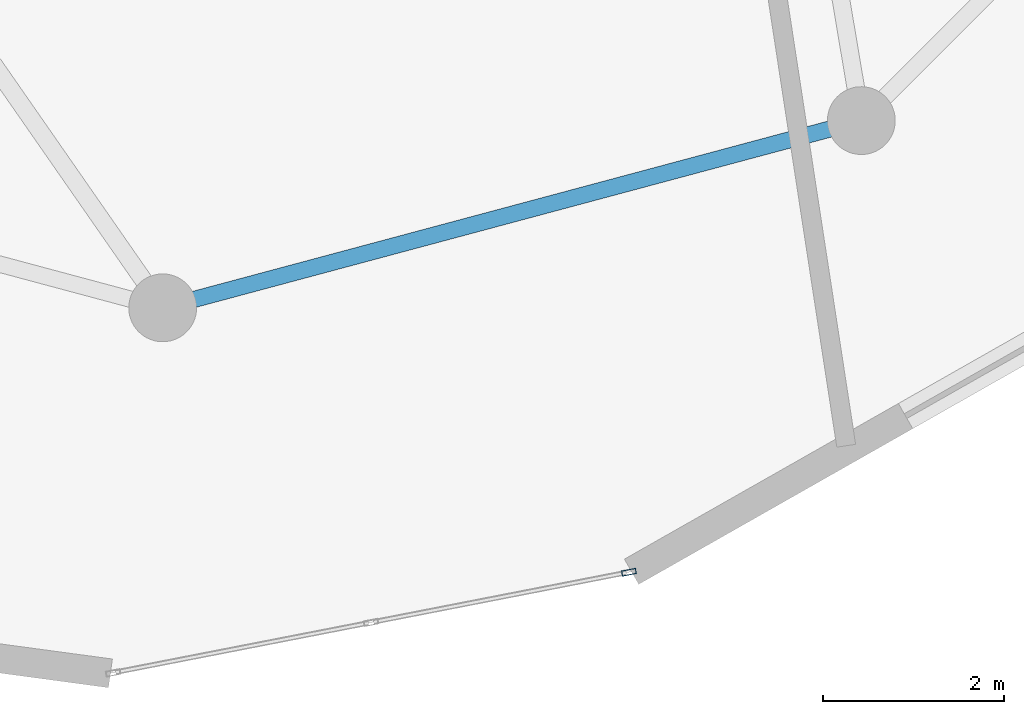
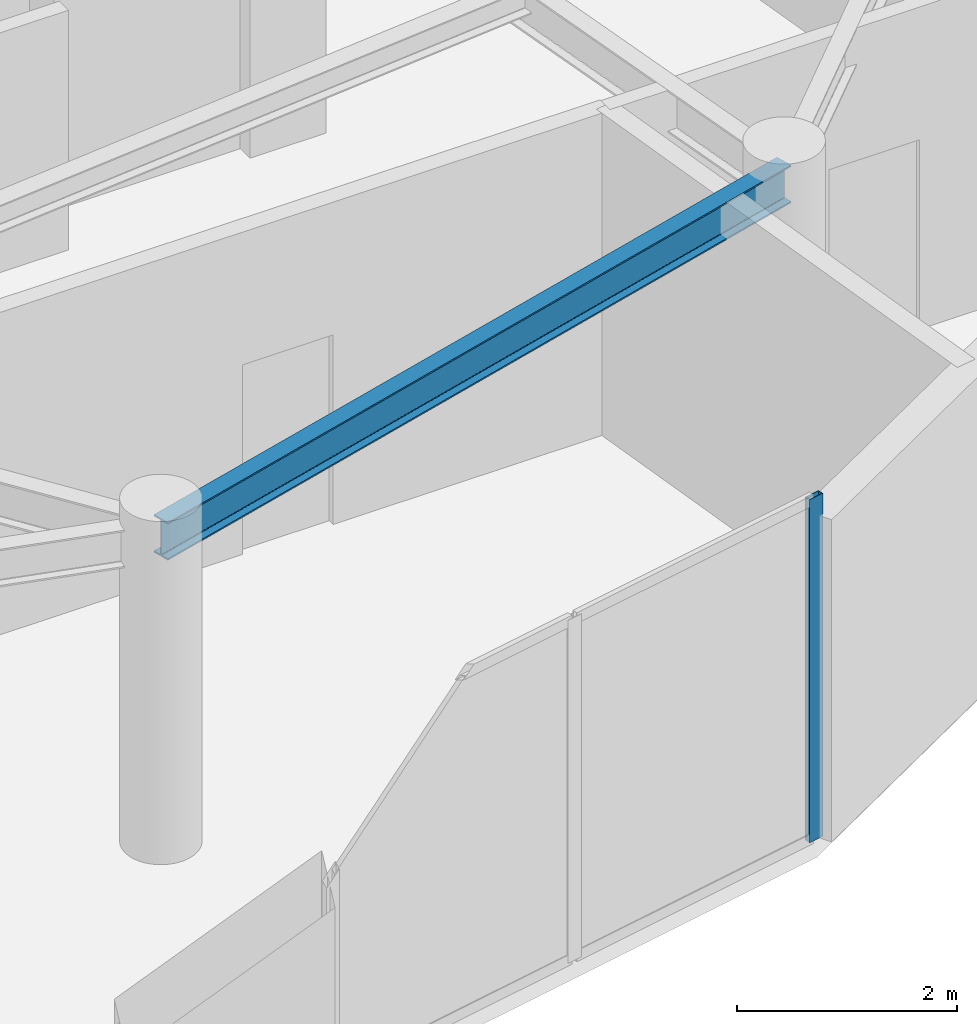
# One storey, part 5 of 18: 1 beam, 1 member, 1 element without a shape of its own.
"""IFC4 building model written with IfcOpenShell, lengths in metres."""

from ifc_helpers import new_model, si_unit, direction, frame, origin, origin_2d, place, context, subcontext, project, spatial, hollow_rectangle, i_section, extrude, source, transform, mapped, material, layer, layer_set, material_profile, profile_set, type_object, element, aggregate, save


model = new_model("IFC4")

# Units and contexts
model_context = context("Model", 3, precision=1e-05, world=origin(), true_north=direction((0.0, 1.0)))
body_context = subcontext(model_context, "Body", "Model", "MODEL_VIEW")
ifc_project = project(units=[si_unit("LENGTHUNIT", "METRE"), si_unit("AREAUNIT", "SQUARE_METRE"), si_unit("VOLUMEUNIT", "CUBIC_METRE"), si_unit("PLANEANGLEUNIT", "RADIAN"), si_unit("MASSUNIT", "GRAM", prefix="KILO")], contexts=[model_context])

# Site, building, storey
site_placement = place(None, origin())
site = spatial("IfcSite", under=ifc_project, at=site_placement, CompositionType="ELEMENT")
building_placement = place(site_placement, origin())
building = spatial("IfcBuilding", under=site, at=building_placement, Name="Solvirekh Grand Hotel", CompositionType="ELEMENT")
storey_placement = place(building_placement, frame((0.0, 0.0, 274.39990234375)))
storey = spatial("IfcBuildingStorey", under=building, at=storey_placement, Name="L71", CompositionType="ELEMENT", Elevation=274.39990234375)

# Beam
ifc_material_1 = material(Name="Steel S355", Category="steel")
ifc_material_profile_1 = material_profile(ifc_material_1, i_section(OverallWidth=0.180908203125, OverallDepth=0.4169921875, WebThickness=0.010009765625, FlangeThickness=0.01611328125, FilletRadius=0.011962890625, at=origin_2d()), Name="W410X85")
ifc_profile_set_1 = profile_set([ifc_material_profile_1], Name="Steel S355")
beam_type = type_object("IfcBeamType", Name="Spandrel_Ring_W410", PredefinedType="SPANDREL", material=ifc_profile_set_1)
beam_placement = place(storey_placement, frame((0.0, -15.449951171875, 3.362060546875), z_axis=(0.965921616143, 0.258834757072, 0.0), x_axis=(-0.258834757072, 0.965921616143, 0.0)))
element("IfcBeam", 1, at=beam_placement, inside=storey, type_object=beam_type, Name="L71 perimeter spandrel beam 10", PredefinedType="SPANDREL", context=body_context, shape_type="SweptSolid", body=[
    extrude(i_section(OverallWidth=0.180908203125, OverallDepth=0.4169921875, WebThickness=0.010009765625, FlangeThickness=0.01611328125, FilletRadius=0.011962890625, at=origin_2d()), origin(), (0.0, 0.0, 1.0), 7.99755859375),
])

# Curtain wall, member
ifc_material_2 = material(Name="Anodized Bronze Aluminium 6063-T6", Category="aluminium")
ifc_layer = layer(ifc_material_2, 0.159912109375)
ifc_layer_set = layer_set([ifc_layer], Name="Anodized Bronze Aluminium 6063-T6")
curtain_wall_type = type_object("IfcCurtainWallType", Name="CW_Sys4_HighZoneFlushBronzeCW", PredefinedType="NOTDEFINED", material=ifc_layer_set)
curtain_wall_placement = place(storey_placement, origin())
curtain_wall = element("IfcCurtainWall", 2, at=curtain_wall_placement, inside=storey, type_object=curtain_wall_type, Name="L71 unitised bronze-glass curtain wall CW-L71-C01", PredefinedType="NOTDEFINED")
ifc_material_profile_2 = material_profile(ifc_material_2, hollow_rectangle(XDim=0.06005859375, YDim=0.159912109375, WallThickness=0.0048828125, at=origin_2d()), Name="ALU RHS 160X60X5")
ifc_profile_set_2 = profile_set([ifc_material_profile_2], Name="Anodized Bronze Aluminium 6063-T6")
member_type = type_object("IfcMemberType", Name="CWMullion_Sys4", PredefinedType="MULLION", material=ifc_profile_set_2)
shared_shape = source(origin(), body_context, "Body", "SweptSolid", [
    extrude(hollow_rectangle(XDim=0.06005859375, YDim=0.159912109375, WallThickness=0.0048828125, at=origin_2d()), origin(), (0.0, 0.0, 1.0), 3.800048828125),
])
member_placement = place(storey_placement, frame((5.155517578125, -18.373779296875, 0.0), z_axis=(0.0, 0.0, 1.0), x_axis=(-0.191430326936, 0.981506204733, 0.0)))
member = element("IfcMember", 3, at=member_placement, type_object=member_type, Name="U04 mullion 3", PredefinedType="MULLION", context=body_context, shape_type="MappedRepresentation", body=[
    mapped(shared_shape, transform((0.0, 0.0, 0.0), x_axis=(1.0, 0.0, 0.0), y_axis=(0.0, 1.0, 0.0), z_axis=(0.0, 0.0, 1.0), scale=1.0)),
])
aggregate(curtain_wall, [member])

save(model, "model.ifc")
